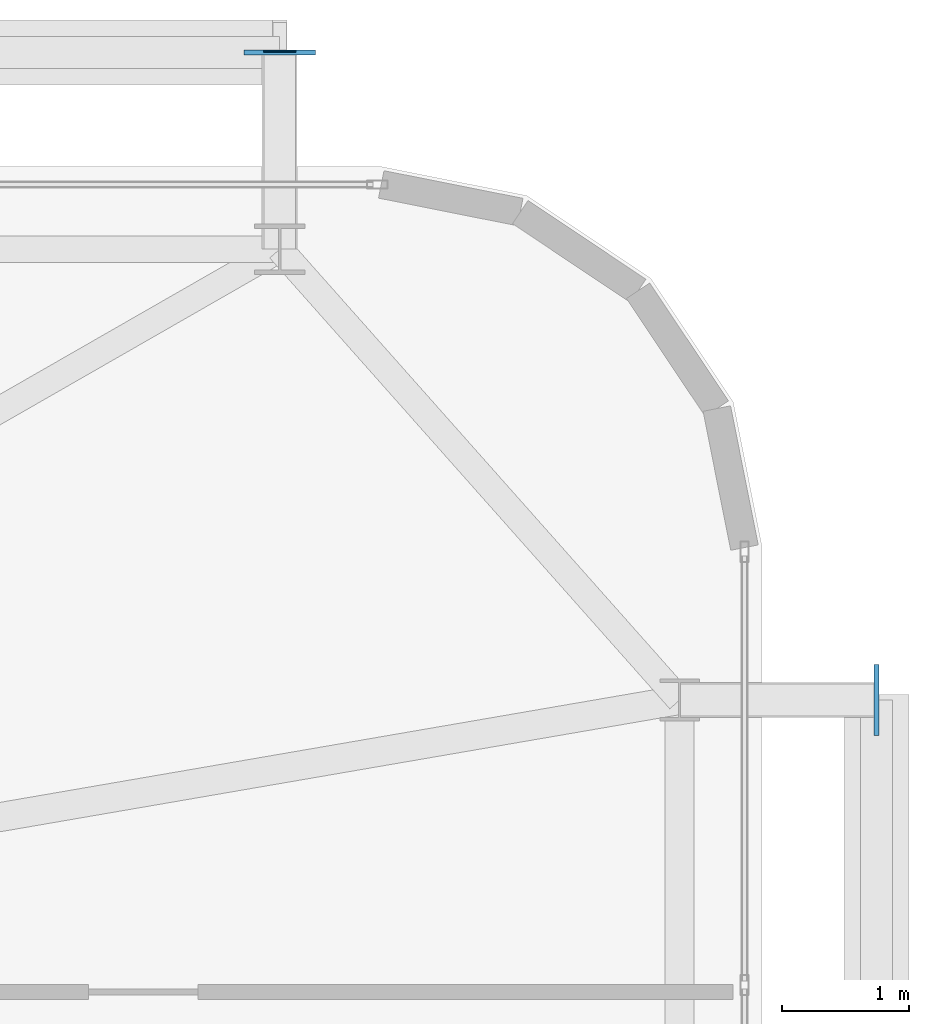
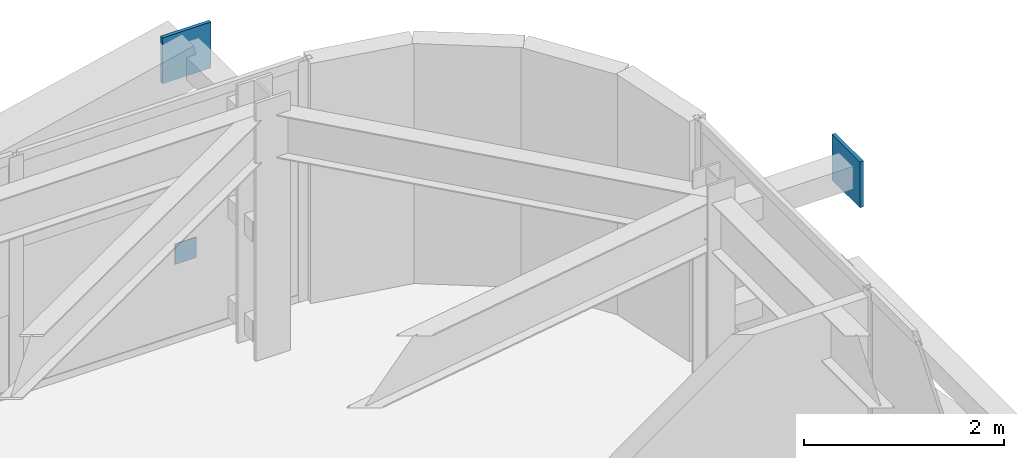
# One storey, part 51 of 58: 3 plates.
"""IFC4 building model written with IfcOpenShell, lengths in metres."""

from ifc_helpers import new_model, si_unit, direction, frame, origin, origin_2d, place, context, subcontext, project, spatial, rectangle, extrude, source, transform, mapped, material, layer, layer_set, type_object, element, save


model = new_model("IFC4")

# Units and contexts
model_context = context("Model", 3, precision=1e-05, world=origin(), true_north=direction((0.0, 1.0)))
body_context = subcontext(model_context, "Body", "Model", "MODEL_VIEW")
ifc_project = project(units=[si_unit("LENGTHUNIT", "METRE"), si_unit("AREAUNIT", "SQUARE_METRE"), si_unit("VOLUMEUNIT", "CUBIC_METRE"), si_unit("PLANEANGLEUNIT", "RADIAN"), si_unit("MASSUNIT", "GRAM", prefix="KILO")], contexts=[model_context])

# Site, building, storey
site_placement = place(None, origin())
site = spatial("IfcSite", under=ifc_project, at=site_placement, CompositionType="ELEMENT")
building_placement = place(site_placement, origin())
building = spatial("IfcBuilding", under=site, at=building_placement, Name="Taldren Reach Tower", CompositionType="ELEMENT")
storey_placement = place(building_placement, frame((0.0, 0.0, 54.60009765625)))
storey = spatial("IfcBuildingStorey", under=building, at=storey_placement, Name="L16", CompositionType="ELEMENT", Elevation=54.60009765625)

# Plates
ifc_material_1 = material(Name="Steel Gr 450 (C450L0)", Category="steel")
ifc_layer_1 = layer(ifc_material_1, 0.0400390625)
ifc_layer_set_1 = layer_set([ifc_layer_1], Name="Steel Gr 450 (C450L0)")
plate_type_1 = type_object("IfcPlateType", Name="PL-GUSSET-40", PredefinedType="SHEET", material=ifc_layer_set_1)
shared_shape_1 = source(origin(), body_context, "Body", "SweptSolid", [
    extrude(rectangle(XDim=0.56005859375, YDim=0.0400390625, at=origin_2d()), origin(), (0.0, 0.0, 1.0), 0.56005859375),
])
for number, where, z_axis, x_axis, name in (
    (1, (61.199951171875, 39.39990234375, 2.369873046875), (0.0, 0.0, 1.0), (1.0, 0.0, 0.0), "Exoskeleton star-node gusset plate B1-N6 L16"),
    (2, (65.89990234375, 34.300048828125, 2.369873046875), (0.0, 0.0, 1.0), (0.0, 1.0, 0.0), "Exoskeleton star-node gusset plate B1-E3 L16"),
):
    element("IfcPlate", number, at=place(storey_placement, frame(where, z_axis=z_axis, x_axis=x_axis)), inside=storey, type_object=plate_type_1, Name=name, PredefinedType="SHEET", context=body_context, shape_type="MappedRepresentation", body=[
        mapped(shared_shape_1, transform((0.0, 0.0, 0.0), scale=1.0)),
    ])
ifc_material_2 = material(Name="Steel Gr 350 (C350L0)", Category="steel")
ifc_layer_2 = layer(ifc_material_2, 0.011962890625)
ifc_layer_set_2 = layer_set([ifc_layer_2], Name="Steel Gr 350 (C350L0)")
plate_type_2 = type_object("IfcPlateType", Name="PL-CAP-250", PredefinedType="SHEET", material=ifc_layer_set_2)
shared_shape_2 = source(origin(), body_context, "Body", "SweptSolid", [
    extrude(rectangle(XDim=0.25, YDim=0.011962890625, at=origin_2d()), origin(), (0.0, 0.0, 1.0), 0.25),
])
plate_placement = place(storey_placement, frame((61.199951171875, 39.406005859375, 0.094970703125), z_axis=(0.0, 0.0, 1.0), x_axis=(1.0, 0.0, 0.0)))
element("IfcPlate", 3, at=plate_placement, inside=storey, type_object=plate_type_2, Name="Tie strut end cap plate B1-N6 L16", PredefinedType="SHEET", context=body_context, shape_type="MappedRepresentation", body=[
    mapped(shared_shape_2, transform((0.0, 0.0, 0.0), scale=1.0)),
])

save(model, "model.ifc")
